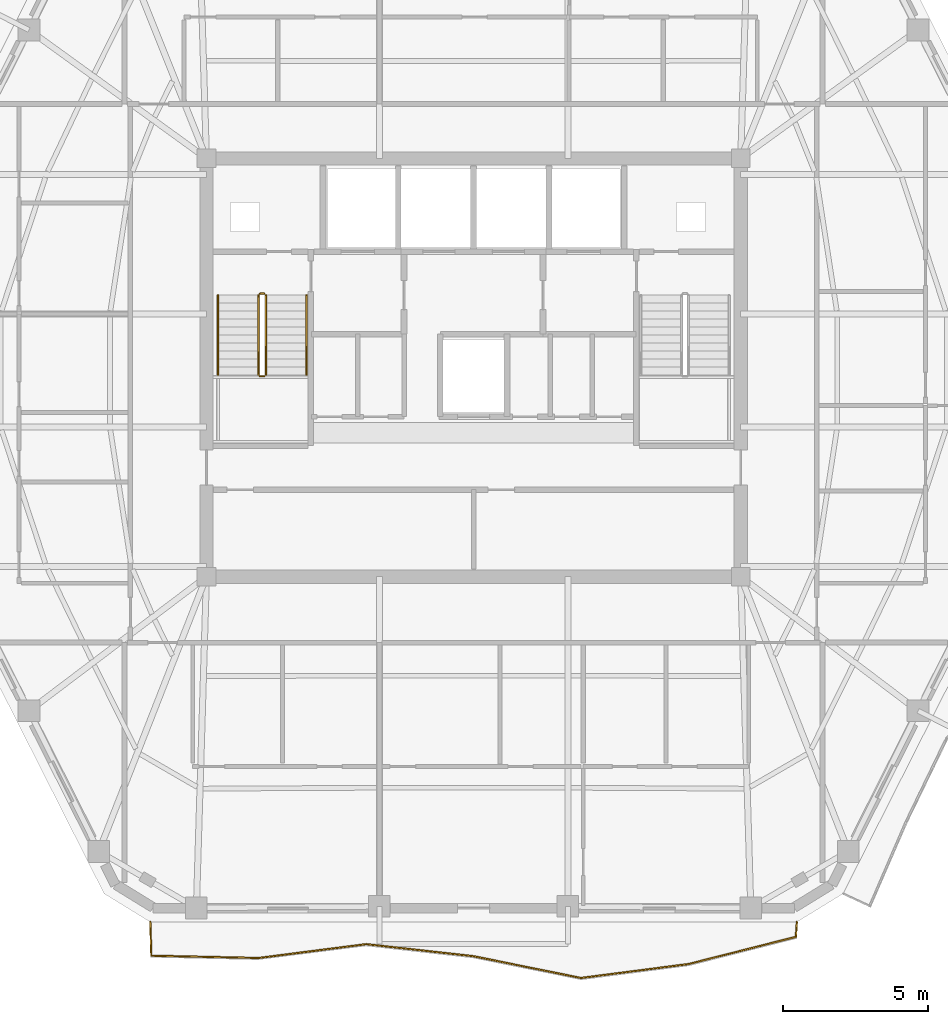
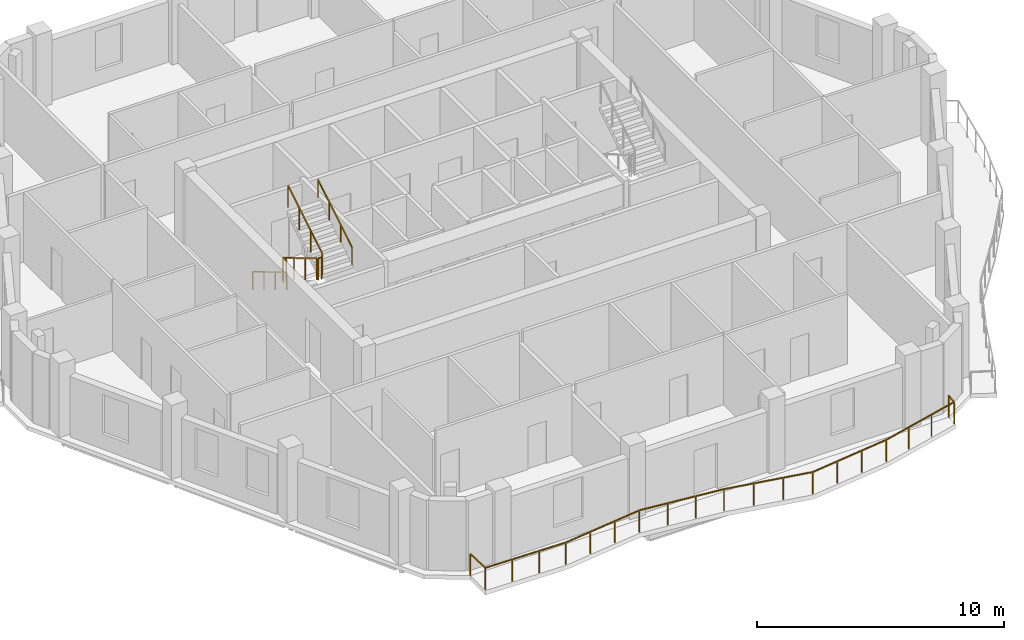
# One storey, part 9 of 11: 7 railings.
"""IFC4 building model written with IfcOpenShell, lengths in metres."""

from ifc_helpers import new_model, si_unit, direction, frame, origin, origin_2d, place, context, subcontext, project, spatial, rectangle, extrude, material, type_object, element, save


model = new_model("IFC4")

# Units and contexts
model_context = context("Model", 3, precision=1e-05, world=origin(), true_north=direction((0.0, 1.0)))
body_context = subcontext(model_context, "Body", "Model", "MODEL_VIEW")
ifc_project = project(units=[si_unit("LENGTHUNIT", "METRE"), si_unit("AREAUNIT", "SQUARE_METRE"), si_unit("VOLUMEUNIT", "CUBIC_METRE"), si_unit("PLANEANGLEUNIT", "RADIAN"), si_unit("MASSUNIT", "GRAM", prefix="KILO")], contexts=[model_context])

# Site, building, storey
site_placement = place(None, origin())
site = spatial("IfcSite", under=ifc_project, at=site_placement, CompositionType="ELEMENT")
building_placement = place(site_placement, origin())
building = spatial("IfcBuilding", under=site, at=building_placement, Name="Cinnabar Lancet Tower", CompositionType="ELEMENT")
storey_placement = place(building_placement, frame((0.0, 0.0, 234.300048828125)))
storey = spatial("IfcBuildingStorey", under=building, at=storey_placement, Name="L62", CompositionType="ELEMENT", Elevation=234.300048828125)

# Railings
ifc_material_1 = material(Name="Laminated safety glass and bronze stainless steel balustrade", Category="steel")
railing_type_1 = type_object("IfcRailingType", Name="ENV-RLG-BAL-1100", PredefinedType="BALUSTRADE", material=ifc_material_1)
railing_1_placement = place(storey_placement, frame((21.236083984375, 6.75, 0.0)))
element("IfcRailing", 1, at=railing_1_placement, inside=storey, type_object=railing_type_1, Name="L62 Face 1 Wave Balcony Balustrade", PredefinedType="BALUSTRADE", context=body_context, shape_type="SweptSolid", body=[
    extrude(rectangle(XDim=0.048095703125, YDim=0.048095703125, at=origin_2d()), frame((0.0, 0.0, 1.076171875), z_axis=(0.029189237936, -0.999573903415, 0.0), x_axis=(0.999573903415, 0.029189237936, 0.0)), (0.0, 0.0, 1.0), 1.16259765625),
    extrude(rectangle(XDim=0.048095703125, YDim=0.048095703125, at=origin_2d()), frame((0.033935546875, -1.162109375, 1.076171875), z_axis=(0.99977984895, -0.02098222183, 0.0), x_axis=(0.02098222183, 0.99977984895, 0.0)), (0.0, 0.0, 1.0), 3.711669921875),
    extrude(rectangle(XDim=0.048095703125, YDim=0.048095703125, at=origin_2d()), frame((3.744873046875, -1.239990234375, 1.076171875), z_axis=(0.991838133189, 0.127503402122, 0.0), x_axis=(-0.127503402122, 0.991838133189, 0.0)), (0.0, 0.0, 1.0), 3.741455078125),
    extrude(rectangle(XDim=0.048095703125, YDim=0.048095703125, at=origin_2d()), frame((7.455810546875, -0.762939453125, 1.076171875), z_axis=(0.993736039972, -0.11175277563, 0.0), x_axis=(0.11175277563, 0.993736039972, 0.0)), (0.0, 0.0, 1.0), 3.7314453125),
    extrude(rectangle(XDim=0.048095703125, YDim=0.048095703125, at=origin_2d()), frame((11.163818359375, -1.179931640625, 1.076171875), z_axis=(0.980111408769, -0.198448044588, 0.0), x_axis=(0.198448044588, 0.980111408769, 0.0)), (0.0, 0.0, 1.0), 3.7841796875),
    extrude(rectangle(XDim=0.048095703125, YDim=0.048095703125, at=origin_2d()), frame((14.872802734375, -1.930908203125, 1.076171875), z_axis=(0.991702352599, 0.128555217123, 0.0), x_axis=(-0.128555217123, 0.991702352599, 0.0)), (0.0, 0.0, 1.0), 3.7412109375),
    extrude(rectangle(XDim=0.048095703125, YDim=0.048095703125, at=origin_2d()), frame((18.5830078125, -1.449951171875, 1.076171875), z_axis=(0.969432895128, 0.245356601386, 0.0), x_axis=(-0.245356601386, 0.969432895128, 0.0)), (0.0, 0.0, 1.0), 3.826904296875),
    extrude(rectangle(XDim=0.048095703125, YDim=0.048095703125, at=origin_2d()), frame((22.29296875, -0.510986328125, 1.076171875), z_axis=(0.068164070645, 0.997674124889, 0.0), x_axis=(-0.997674124889, 0.068164070645, 0.0)), (0.0, 0.0, 1.0), 0.51220703125),
    extrude(rectangle(XDim=0.0419921875, YDim=0.0419921875, at=origin_2d()), origin(), (0.0, 0.0, 1.0), 1.052001953125),
    extrude(rectangle(XDim=0.0419921875, YDim=0.0419921875, at=origin_2d()), frame((0.033935546875, -1.162109375, 0.0)), (0.0, 0.0, 1.0), 1.052001953125),
    extrude(rectangle(XDim=0.0419921875, YDim=0.0419921875, at=origin_2d()), frame((1.27099609375, -1.18798828125, 0.0)), (0.0, 0.0, 1.0), 1.052001953125),
    extrude(rectangle(XDim=0.0419921875, YDim=0.0419921875, at=origin_2d()), frame((2.5078125, -1.214111328125, 0.0)), (0.0, 0.0, 1.0), 1.052001953125),
    extrude(rectangle(XDim=0.0419921875, YDim=0.0419921875, at=origin_2d()), frame((3.744873046875, -1.239990234375, 0.0)), (0.0, 0.0, 1.0), 1.052001953125),
    extrude(rectangle(XDim=0.0419921875, YDim=0.0419921875, at=origin_2d()), frame((4.98193359375, -1.0810546875, 0.0)), (0.0, 0.0, 1.0), 1.052001953125),
    extrude(rectangle(XDim=0.0419921875, YDim=0.0419921875, at=origin_2d()), frame((6.21875, -0.921875, 0.0)), (0.0, 0.0, 1.0), 1.052001953125),
    extrude(rectangle(XDim=0.0419921875, YDim=0.0419921875, at=origin_2d()), frame((7.455810546875, -0.762939453125, 0.0)), (0.0, 0.0, 1.0), 1.052001953125),
    extrude(rectangle(XDim=0.0419921875, YDim=0.0419921875, at=origin_2d()), frame((8.69189453125, -0.90185546875, 0.0)), (0.0, 0.0, 1.0), 1.052001953125),
    extrude(rectangle(XDim=0.0419921875, YDim=0.0419921875, at=origin_2d()), frame((9.927734375, -1.041015625, 0.0)), (0.0, 0.0, 1.0), 1.052001953125),
    extrude(rectangle(XDim=0.0419921875, YDim=0.0419921875, at=origin_2d()), frame((11.163818359375, -1.179931640625, 0.0)), (0.0, 0.0, 1.0), 1.052001953125),
    extrude(rectangle(XDim=0.0419921875, YDim=0.0419921875, at=origin_2d()), frame((12.400146484375, -1.43017578125, 0.0)), (0.0, 0.0, 1.0), 1.052001953125),
    extrude(rectangle(XDim=0.0419921875, YDim=0.0419921875, at=origin_2d()), frame((13.636474609375, -1.6806640625, 0.0)), (0.0, 0.0, 1.0), 1.052001953125),
    extrude(rectangle(XDim=0.0419921875, YDim=0.0419921875, at=origin_2d()), frame((14.872802734375, -1.930908203125, 0.0)), (0.0, 0.0, 1.0), 1.052001953125),
    extrude(rectangle(XDim=0.0419921875, YDim=0.0419921875, at=origin_2d()), frame((16.109619140625, -1.7705078125, 0.0)), (0.0, 0.0, 1.0), 1.052001953125),
    extrude(rectangle(XDim=0.0419921875, YDim=0.0419921875, at=origin_2d()), frame((17.34619140625, -1.6103515625, 0.0)), (0.0, 0.0, 1.0), 1.052001953125),
    extrude(rectangle(XDim=0.0419921875, YDim=0.0419921875, at=origin_2d()), frame((18.5830078125, -1.449951171875, 0.0)), (0.0, 0.0, 1.0), 1.052001953125),
    extrude(rectangle(XDim=0.0419921875, YDim=0.0419921875, at=origin_2d()), frame((19.819580078125, -1.136962890625, 0.0)), (0.0, 0.0, 1.0), 1.052001953125),
    extrude(rectangle(XDim=0.0419921875, YDim=0.0419921875, at=origin_2d()), frame((21.056396484375, -0.823974609375, 0.0)), (0.0, 0.0, 1.0), 1.052001953125),
    extrude(rectangle(XDim=0.0419921875, YDim=0.0419921875, at=origin_2d()), frame((22.29296875, -0.510986328125, 0.0)), (0.0, 0.0, 1.0), 1.052001953125),
    extrude(rectangle(XDim=0.0419921875, YDim=0.0419921875, at=origin_2d()), frame((22.327880859375, 0.0, 0.0)), (0.0, 0.0, 1.0), 1.052001953125),
])
ifc_material_2 = material(Name="Painted galvanized steel balustrade", Category="steel")
railing_type_2 = type_object("IfcRailingType", Name="GUARD-STAIR", PredefinedType="GUARDRAIL", material=ifc_material_2)
railing_2_placement = place(storey_placement, frame((24.97509765625, 28.39990234375, 0.165771484375)))
element("IfcRailing", 2, at=railing_2_placement, inside=storey, type_object=railing_type_2, Name="L62 ST-1 stair guard 1", PredefinedType="GUARDRAIL", context=body_context, shape_type="SweptSolid", body=[
    extrude(rectangle(XDim=0.048095703125, YDim=0.048095703125, at=origin_2d()), frame((0.0, 0.0, 1.076171875), z_axis=(0.0, -0.856229400918, 0.51659579267), x_axis=(1.0, 0.0, 0.0)), (0.0, 0.0, 1.0), 3.211669921875),
    extrude(rectangle(XDim=0.0419921875, YDim=0.0419921875, at=origin_2d()), origin(), (0.0, 0.0, 1.0), 1.052001953125),
    extrude(rectangle(XDim=0.0419921875, YDim=0.0419921875, at=origin_2d()), frame((0.0, -0.916748046875, 0.552978515625)), (0.0, 0.0, 1.0), 1.052001953125),
    extrude(rectangle(XDim=0.0419921875, YDim=0.0419921875, at=origin_2d()), frame((0.0, -1.833251953125, 1.106201171875)), (0.0, 0.0, 1.0), 1.052001953125),
    extrude(rectangle(XDim=0.0419921875, YDim=0.0419921875, at=origin_2d()), frame((0.0, -2.75, 1.6591796875)), (0.0, 0.0, 1.0), 1.052001953125),
])
railing_3_placement = place(storey_placement, frame((25.02490234375, 25.60009765625, 1.824951171875)))
element("IfcRailing", 3, at=railing_3_placement, inside=storey, type_object=railing_type_2, Name="L62 ST-1 stair guard 2", PredefinedType="GUARDRAIL", context=body_context, shape_type="SweptSolid", body=[
    extrude(rectangle(XDim=0.048095703125, YDim=0.048095703125, at=origin_2d()), frame((0.0, 0.0, 1.076171875), z_axis=(1.0, 0.0, 0.0), x_axis=(0.0, 1.0, 0.0)), (0.0, 0.0, 1.0), 0.150146484375),
    extrude(rectangle(XDim=0.0419921875, YDim=0.0419921875, at=origin_2d()), origin(), (0.0, 0.0, 1.0), 1.052001953125),
    extrude(rectangle(XDim=0.0419921875, YDim=0.0419921875, at=origin_2d()), frame((0.150146484375, 0.0, 0.0)), (0.0, 0.0, 1.0), 1.052001953125),
])
railing_4_placement = place(storey_placement, frame((25.22509765625, 25.64990234375, 1.990966796875)))
element("IfcRailing", 4, at=railing_4_placement, inside=storey, type_object=railing_type_2, Name="L62 ST-1 stair guard 3", PredefinedType="GUARDRAIL", context=body_context, shape_type="SweptSolid", body=[
    extrude(rectangle(XDim=0.048095703125, YDim=0.048095703125, at=origin_2d()), frame((0.0, 0.0, 1.076171875), z_axis=(0.0, 0.856263023582, 0.516540060834), x_axis=(-1.0, 0.0, 0.0)), (0.0, 0.0, 1.0), 3.211669921875),
    extrude(rectangle(XDim=0.0419921875, YDim=0.0419921875, at=origin_2d()), origin(), (0.0, 0.0, 1.0), 1.052001953125),
    extrude(rectangle(XDim=0.0419921875, YDim=0.0419921875, at=origin_2d()), frame((0.0, 0.916748046875, 0.552978515625)), (0.0, 0.0, 1.0), 1.052001953125),
    extrude(rectangle(XDim=0.0419921875, YDim=0.0419921875, at=origin_2d()), frame((0.0, 1.833251953125, 1.10595703125)), (0.0, 0.0, 1.0), 1.052001953125),
    extrude(rectangle(XDim=0.0419921875, YDim=0.0419921875, at=origin_2d()), frame((0.0, 2.75, 1.658935546875)), (0.0, 0.0, 1.0), 1.052001953125),
])
railing_5_placement = place(storey_placement, frame((25.02490234375, 28.449951171875, 0.0)))
element("IfcRailing", 5, at=railing_5_placement, inside=storey, type_object=railing_type_2, Name="L62 ST-1 stair guard 4", PredefinedType="GUARDRAIL", context=body_context, shape_type="SweptSolid", body=[
    extrude(rectangle(XDim=0.048095703125, YDim=0.048095703125, at=origin_2d()), frame((0.0, 0.0, 1.076171875), z_axis=(1.0, 0.0, 0.0), x_axis=(0.0, 1.0, 0.0)), (0.0, 0.0, 1.0), 0.150146484375),
    extrude(rectangle(XDim=0.0419921875, YDim=0.0419921875, at=origin_2d()), origin(), (0.0, 0.0, 1.0), 1.052001953125),
    extrude(rectangle(XDim=0.0419921875, YDim=0.0419921875, at=origin_2d()), frame((0.150146484375, 0.0, 0.0)), (0.0, 0.0, 1.0), 1.052001953125),
])
ifc_material_3 = material(Name="Brushed stainless steel handrail", Category="steel")
railing_type_3 = type_object("IfcRailingType", Name="HANDRAIL-STAIR", PredefinedType="HANDRAIL", material=ifc_material_3)
railing_6_placement = place(storey_placement, frame((23.574951171875, 28.39990234375, 0.165771484375)))
element("IfcRailing", 6, at=railing_6_placement, inside=storey, type_object=railing_type_3, Name="L62 ST-1 stair handrail 1", PredefinedType="HANDRAIL", context=body_context, shape_type="SweptSolid", body=[
    extrude(rectangle(XDim=0.048095703125, YDim=0.048095703125, at=origin_2d()), frame((0.0, 0.0, 0.8759765625), z_axis=(0.0, -0.856229400918, 0.51659579267), x_axis=(1.0, 0.0, 0.0)), (0.0, 0.0, 1.0), 3.211669921875),
    extrude(rectangle(XDim=0.0419921875, YDim=0.0419921875, at=origin_2d()), origin(), (0.0, 0.0, 1.0), 0.851806640625),
    extrude(rectangle(XDim=0.0419921875, YDim=0.0419921875, at=origin_2d()), frame((0.0, -0.916748046875, 0.552978515625)), (0.0, 0.0, 1.0), 0.851806640625),
    extrude(rectangle(XDim=0.0419921875, YDim=0.0419921875, at=origin_2d()), frame((0.0, -1.833251953125, 1.106201171875)), (0.0, 0.0, 1.0), 0.851806640625),
    extrude(rectangle(XDim=0.0419921875, YDim=0.0419921875, at=origin_2d()), frame((0.0, -2.75, 1.6591796875)), (0.0, 0.0, 1.0), 0.851806640625),
])
railing_7_placement = place(storey_placement, frame((26.625, 25.64990234375, 1.990966796875)))
element("IfcRailing", 7, at=railing_7_placement, inside=storey, type_object=railing_type_3, Name="L62 ST-1 stair handrail 2", PredefinedType="HANDRAIL", context=body_context, shape_type="SweptSolid", body=[
    extrude(rectangle(XDim=0.048095703125, YDim=0.048095703125, at=origin_2d()), frame((0.0, 0.0, 0.8759765625), z_axis=(0.0, 0.856263023582, 0.516540060834), x_axis=(-1.0, 0.0, 0.0)), (0.0, 0.0, 1.0), 3.211669921875),
    extrude(rectangle(XDim=0.0419921875, YDim=0.0419921875, at=origin_2d()), origin(), (0.0, 0.0, 1.0), 0.851806640625),
    extrude(rectangle(XDim=0.0419921875, YDim=0.0419921875, at=origin_2d()), frame((0.0, 0.916748046875, 0.552978515625)), (0.0, 0.0, 1.0), 0.851806640625),
    extrude(rectangle(XDim=0.0419921875, YDim=0.0419921875, at=origin_2d()), frame((0.0, 1.833251953125, 1.10595703125)), (0.0, 0.0, 1.0), 0.851806640625),
    extrude(rectangle(XDim=0.0419921875, YDim=0.0419921875, at=origin_2d()), frame((0.0, 2.75, 1.658935546875)), (0.0, 0.0, 1.0), 0.851806640625),
])

save(model, "model.ifc")
